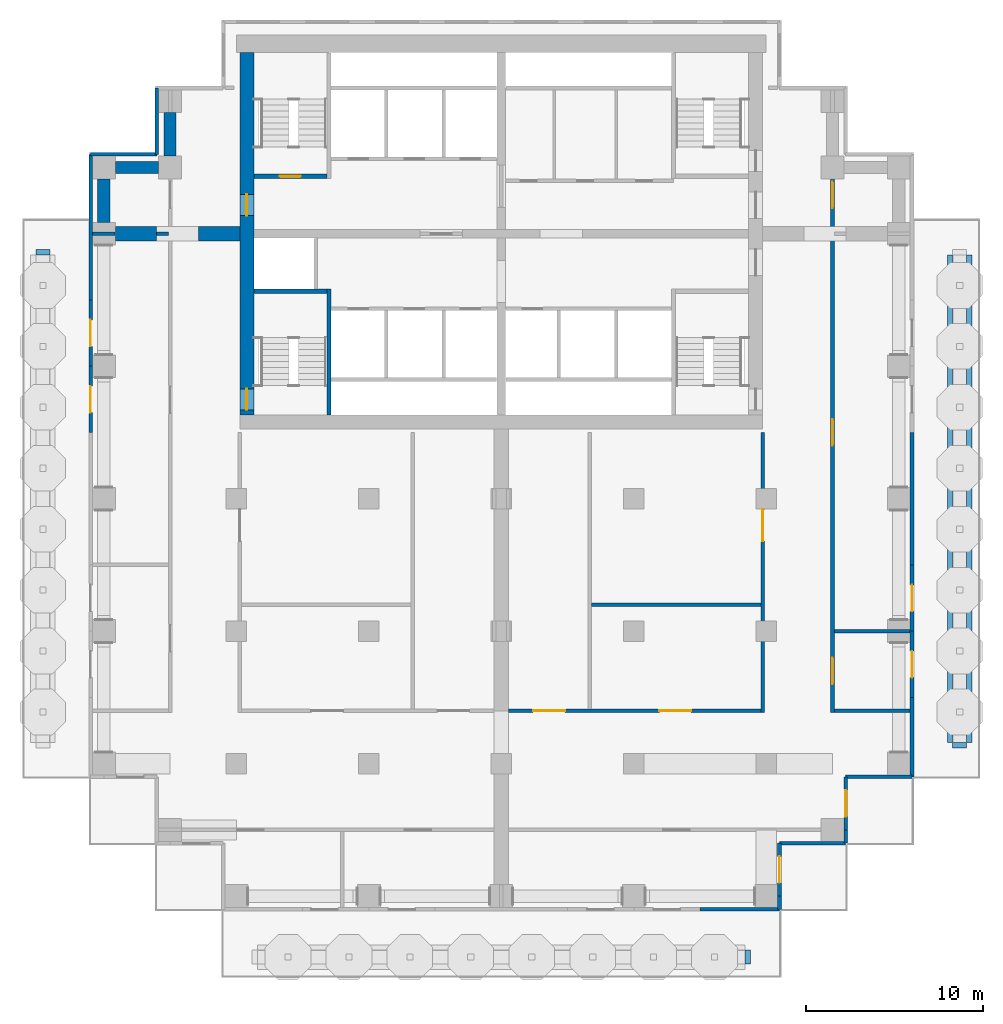
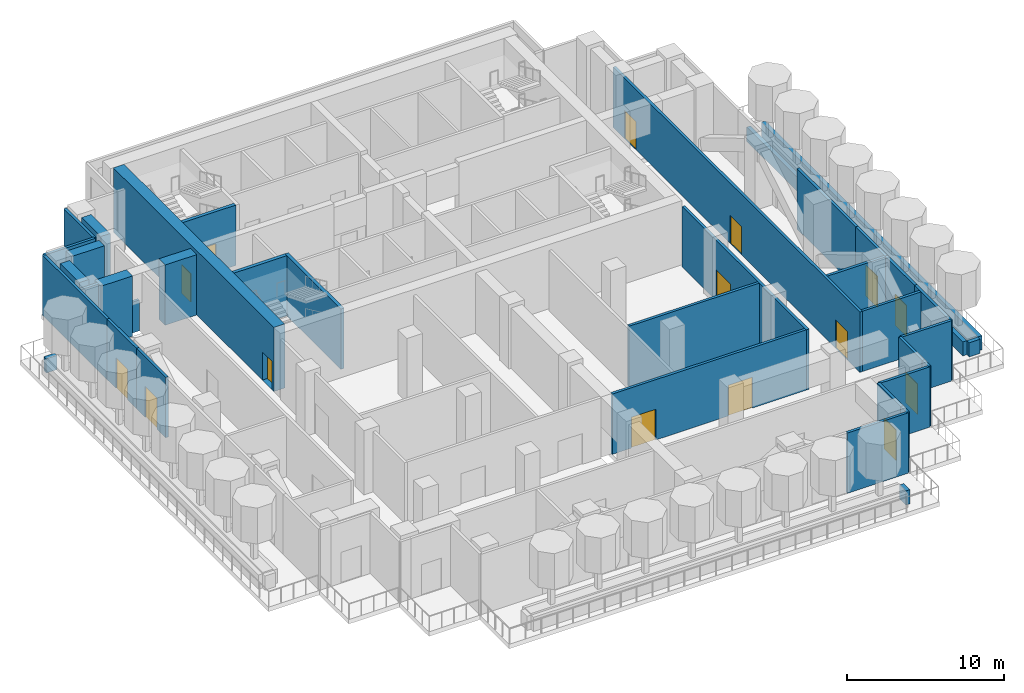
# One storey, part 3 of 9: 38 walls, 15 doors, 15 openings.
"""IFC4 building model written with IfcOpenShell, lengths in metres."""

from ifc_helpers import new_model, si_unit, direction, frame, frame_2d, origin, place, context, subcontext, project, spatial, rectangle, extrude, material, layer, layer_set, type_object, element, fill, save


model = new_model("IFC4")

# Units and contexts
model_context = context("Model", 3, precision=1e-05, world=origin(), true_north=direction((0.0, 1.0)))
body_context = subcontext(model_context, "Body", "Model", "MODEL_VIEW")
ifc_project = project(units=[si_unit("LENGTHUNIT", "METRE"), si_unit("AREAUNIT", "SQUARE_METRE"), si_unit("VOLUMEUNIT", "CUBIC_METRE"), si_unit("PLANEANGLEUNIT", "RADIAN"), si_unit("MASSUNIT", "GRAM", prefix="KILO")], contexts=[model_context])

# Site, building, storey
site_placement = place(None, origin())
site = spatial("IfcSite", under=ifc_project, at=site_placement, CompositionType="ELEMENT")
building_placement = place(site_placement, origin())
building = spatial("IfcBuilding", under=site, at=building_placement, Name="Pilkhan Gate Tower", CompositionType="ELEMENT")
storey_placement = place(building_placement, frame((0.0, 0.0, 102.199951171875)))
storey = spatial("IfcBuildingStorey", under=building, at=storey_placement, Name="L25", CompositionType="ELEMENT", Elevation=102.199951171875)

# Walls
ifc_material_1 = material(Name="Concrete C60/75", Category="concrete")
ifc_layer_1 = layer(ifc_material_1, 0.699951171875)
ifc_layer_set_1 = layer_set([ifc_layer_1], Name="Belt wall BW700 C60/75")
wall_type_1 = type_object("IfcWallType", Name="Belt wall BW700 C60/75", PredefinedType="SHEAR", material=ifc_layer_set_1)
for number, where, z_axis, x_axis, name in (
    (1, (52.5, 83.14990234375, 0.0), (0.0, 0.0, 1.0), (0.0, 1.0, 0.0), "Belt wall 9 L25"),
    (2, (53.14990234375, 86.25, 0.0), (0.0, 0.0, 1.0), (1.0, 0.0, 0.0), "Belt wall 10 L25"),
    (3, (56.25, 86.89990234375, 0.0), (0.0, 0.0, 1.0), (0.0, 1.0, 0.0), "Belt wall 11 L25"),
):
    element("IfcWall", number, at=place(storey_placement, frame(where, z_axis=z_axis, x_axis=x_axis)), inside=storey, type_object=wall_type_1, Name=name, PredefinedType="SHEAR", context=body_context, shape_type="SweptSolid", body=[
        extrude(rectangle(XDim=2.4501953125, YDim=0.699951171875, at=frame_2d((1.22509765625, 0.0))), origin(), (0.0, 0.0, 1.0), 4.699951171875),
    ])

# Wall, openings, doors
ifc_layer_2 = layer(ifc_material_1, 0.800048828125)
ifc_layer_set_2 = layer_set([ifc_layer_2], Name="Core wall CW800 C60/75")
wall_type_2 = type_object("IfcWallType", Name="Core wall CW800 C60/75", PredefinedType="SHEAR", material=ifc_layer_set_2)
wall_1_placement = place(storey_placement, frame((60.60009765625, 92.75, 0.0), z_axis=(0.0, 0.0, 1.0), x_axis=(0.0, -1.0, 0.0)))
wall_1 = element("IfcWall", 4, at=wall_1_placement, inside=storey, type_object=wall_type_2, Name="Core wall W L25", PredefinedType="SHEAR", context=body_context, shape_type="SweptSolid", body=[
    extrude(rectangle(XDim=20.5, YDim=0.800048828125, at=frame_2d((10.25, 0.0))), origin(), (0.0, 0.0, 1.0), 5.0),
])
opening_1_placement = place(wall_1_placement, frame((19.02490234375, 0.0, 0.0)))
opening_1 = element("IfcOpeningElement", 5, at=opening_1_placement, cuts=wall_1, Name="Opening L25-04", PredefinedType="OPENING", context=body_context, shape_type="SweptSolid", body=[
    extrude(rectangle(XDim=1.199951171875, YDim=2.199951171875, at=frame_2d((0.60009765625, 1.10009765625))), frame((0.0, 0.409912109375, 0.0), z_axis=(0.0, -1.0, 0.0), x_axis=(1.0, 0.0, 0.0)), (0.0, 0.0, 1.0), 0.820068359375),
])
opening_2_placement = place(wall_1_placement, frame((8.02490234375, 0.0, 0.0)))
opening_2 = element("IfcOpeningElement", 6, at=opening_2_placement, cuts=wall_1, Name="Opening L25-16", PredefinedType="OPENING", context=body_context, shape_type="SweptSolid", body=[
    extrude(rectangle(XDim=1.199951171875, YDim=2.199951171875, at=frame_2d((0.60009765625, 1.10009765625))), frame((0.0, 0.409912109375, 0.0), z_axis=(0.0, -1.0, 0.0), x_axis=(1.0, 0.0, 0.0)), (0.0, 0.0, 1.0), 0.820068359375),
])
ifc_material_2 = material(Name="Steel door, 120 minute fire resisting, self-closing", Category="steel")
door_type_1 = type_object("IfcDoorType", Name="Firefighting lobby door D10 1200x2200", OperationType="SINGLE_SWING_LEFT", PredefinedType="DOOR", material=ifc_material_2)
door_1_placement = place(opening_2_placement, origin())
door_1 = element("IfcDoor", 7, at=door_1_placement, inside=storey, type_object=door_type_1, Name="Core door", OperationType="SINGLE_SWING_LEFT", OverallHeight=2.199951171875, OverallWidth=1.199951171875, PredefinedType="DOOR", context=body_context, shape_type="SweptSolid", body=[
    extrude(rectangle(XDim=1.199951171875, YDim=2.199951171875, at=frame_2d((0.60009765625, 1.10009765625))), frame((0.0, 0.02490234375, 0.0), z_axis=(0.0, -1.0, 0.0), x_axis=(1.0, 0.0, 0.0)), (0.0, 0.0, 1.0), 0.050048828125),
])
fill(opening_2, door_1)
ifc_material_3 = material(Name="Steel door, 120 minute fire resisting, panic bar", Category="steel")
door_type_2 = type_object("IfcDoorType", Name="Stair door D11 1200x2200", OperationType="SINGLE_SWING_LEFT", PredefinedType="DOOR", material=ifc_material_3)
door_2_placement = place(opening_1_placement, origin())
door_2 = element("IfcDoor", 8, at=door_2_placement, inside=storey, type_object=door_type_2, Name="Stair ST2 door", OperationType="SINGLE_SWING_LEFT", OverallHeight=2.199951171875, OverallWidth=1.199951171875, PredefinedType="DOOR", context=body_context, shape_type="SweptSolid", body=[
    extrude(rectangle(XDim=1.199951171875, YDim=2.199951171875, at=frame_2d((0.60009765625, 1.10009765625))), frame((0.0, 0.02490234375, 0.0), z_axis=(0.0, -1.0, 0.0), x_axis=(1.0, 0.0, 0.0)), (0.0, 0.0, 1.0), 0.050048828125),
])
fill(opening_1, door_2)

ifc_material_4 = material(Name="Dense blockwork", Category="masonry")
ifc_layer_3 = layer(ifc_material_4, 0.199951171875)
ifc_layer_set_3 = layer_set([ifc_layer_3], Name="Lobby wall LW200")
wall_type_3 = type_object("IfcWallType", Name="Lobby wall LW200", PredefinedType="PARTITIONING", material=ifc_layer_set_3)
wall_2_placement = place(storey_placement, frame((75.409912109375, 55.5, 0.0), z_axis=(0.0, 0.0, 1.0), x_axis=(1.0, 0.0, 0.0)))
wall_2 = element("IfcWall", 9, at=wall_2_placement, inside=storey, type_object=wall_type_3, Name="Partition L25", PredefinedType="PARTITIONING", context=body_context, shape_type="SweptSolid", body=[
    extrude(rectangle(XDim=14.2900390625, YDim=0.199951171875, at=frame_2d((7.14501953125, 0.0))), origin(), (0.0, 0.0, 1.0), 4.699951171875),
])
opening_3_placement = place(wall_2_placement, frame((1.39990234375, 0.0, 0.0)))
opening_3 = element("IfcOpeningElement", 10, at=opening_3_placement, cuts=wall_2, Name="Opening L25-24", PredefinedType="OPENING", context=body_context, shape_type="SweptSolid", body=[
    extrude(rectangle(XDim=1.800048828125, YDim=2.39990234375, at=frame_2d((0.89990234375, 1.199951171875))), frame((0.0, 0.10986328125, 0.0), z_axis=(0.0, -1.0, 0.0), x_axis=(1.0, 0.0, 0.0)), (0.0, 0.0, 1.0), 0.219970703125),
])
opening_4_placement = place(wall_2_placement, frame((8.5400390625, 0.0, 0.0)))
opening_4 = element("IfcOpeningElement", 11, at=opening_4_placement, cuts=wall_2, Name="Opening L25-25", PredefinedType="OPENING", context=body_context, shape_type="SweptSolid", body=[
    extrude(rectangle(XDim=1.800048828125, YDim=2.39990234375, at=frame_2d((0.89990234375, 1.199951171875))), frame((0.0, 0.10986328125, 0.0), z_axis=(0.0, -1.0, 0.0), x_axis=(1.0, 0.0, 0.0)), (0.0, 0.0, 1.0), 0.219970703125),
])
ifc_material_5 = material(Name="Steel door, 120 minute fire resisting", Category="steel")
door_type_3 = type_object("IfcDoorType", Name="Plant room door D08 1800x2400", OperationType="DOUBLE_DOOR_SINGLE_SWING", PredefinedType="DOOR", material=ifc_material_5)
door_3_placement = place(opening_3_placement, origin())
door_3 = element("IfcDoor", 12, at=door_3_placement, inside=storey, type_object=door_type_3, Name="Plant room door", OperationType="DOUBLE_DOOR_SINGLE_SWING", OverallHeight=2.39990234375, OverallWidth=1.800048828125, PredefinedType="DOOR", context=body_context, shape_type="SweptSolid", body=[
    extrude(rectangle(XDim=1.800048828125, YDim=2.39990234375, at=frame_2d((0.89990234375, 1.199951171875))), frame((0.0, 0.02490234375, 0.0), z_axis=(0.0, -1.0, 0.0), x_axis=(1.0, 0.0, 0.0)), (0.0, 0.0, 1.0), 0.050048828125),
])
fill(opening_3, door_3)
door_4_placement = place(opening_4_placement, origin())
door_4 = element("IfcDoor", 13, at=door_4_placement, inside=storey, type_object=door_type_3, Name="Plant room door", OperationType="DOUBLE_DOOR_SINGLE_SWING", OverallHeight=2.39990234375, OverallWidth=1.800048828125, PredefinedType="DOOR", context=body_context, shape_type="SweptSolid", body=[
    extrude(rectangle(XDim=1.800048828125, YDim=2.39990234375, at=frame_2d((0.89990234375, 1.199951171875))), frame((0.0, 0.02490234375, 0.0), z_axis=(0.0, -1.0, 0.0), x_axis=(1.0, 0.0, 0.0)), (0.0, 0.0, 1.0), 0.050048828125),
])
fill(opening_4, door_4)

# Walls
for number, where, z_axis, x_axis, name in (
    (14, (93.85009765625, 55.5, 0.0), (0.0, 0.0, 1.0), (1.0, 0.0, 0.0), "Partition L25"),
    (15, (93.85009765625, 60.0, 0.0), (0.0, 0.0, 1.0), (1.0, 0.0, 0.0), "Partition L25"),
):
    element("IfcWall", number, at=place(storey_placement, frame(where, z_axis=z_axis, x_axis=x_axis)), inside=storey, type_object=wall_type_3, Name=name, PredefinedType="PARTITIONING", context=body_context, shape_type="SweptSolid", body=[
        extrude(rectangle(XDim=4.289794921875, YDim=0.199951171875, at=frame_2d((2.14501953125, 0.0))), origin(), (0.0, 0.0, 1.0), 4.699951171875),
    ])
wall_3_placement = place(storey_placement, frame((80.10009765625, 61.5, 0.0), z_axis=(0.0, 0.0, 1.0), x_axis=(1.0, 0.0, 0.0)))
element("IfcWall", 16, at=wall_3_placement, inside=storey, type_object=wall_type_3, Name="Partition L25", PredefinedType="PARTITIONING", context=body_context, shape_type="SweptSolid", body=[
    extrude(rectangle(XDim=9.599853515625, YDim=0.199951171875, at=frame_2d((4.7998046875, 0.0))), origin(), (0.0, 0.0, 1.0), 4.699951171875),
])
wall_4_placement = place(storey_placement, frame((51.860107421875, 82.5, 0.0), z_axis=(0.0, 0.0, 1.0), x_axis=(1.0, 0.0, 0.0)))
element("IfcWall", 17, at=wall_4_placement, inside=storey, type_object=wall_type_3, Name="Partition L25", PredefinedType="PARTITIONING", context=body_context, shape_type="SweptSolid", body=[
    extrude(rectangle(XDim=1.27978515625, YDim=0.199951171875, at=frame_2d((0.639892578125, 0.0))), origin(), (0.0, 0.0, 1.0), 4.699951171875),
])
wall_5_placement = place(storey_placement, frame((55.485107421875, 82.5, 0.0), z_axis=(0.0, 0.0, 1.0), x_axis=(1.0, 0.0, 0.0)))
element("IfcWall", 18, at=wall_5_placement, inside=storey, type_object=wall_type_3, Name="Partition L25", PredefinedType="PARTITIONING", context=body_context, shape_type="SweptSolid", body=[
    extrude(rectangle(XDim=0.664794921875, YDim=0.199951171875, at=frame_2d((0.33251953125, 0.0))), origin(), (0.0, 0.0, 1.0), 2.400146484375),
])

# Wall, opening, door
wall_6_placement = place(storey_placement, frame((89.800048828125, 55.39990234375, 0.0), z_axis=(0.0, 0.0, 1.0), x_axis=(0.0, 1.0, 0.0)))
wall_6 = element("IfcWall", 19, at=wall_6_placement, inside=storey, type_object=wall_type_3, Name="Partition L25", PredefinedType="PARTITIONING", context=body_context, shape_type="SweptSolid", body=[
    extrude(rectangle(XDim=15.85009765625, YDim=0.199951171875, at=frame_2d((7.925048828125, 0.0))), origin(), (0.0, 0.0, 1.0), 4.699951171875),
])
opening_5_placement = place(wall_6_placement, frame((9.699951171875, 0.0, 0.0)))
opening_5 = element("IfcOpeningElement", 20, at=opening_5_placement, cuts=wall_6, Name="Opening L25-26", PredefinedType="OPENING", context=body_context, shape_type="SweptSolid", body=[
    extrude(rectangle(XDim=1.800048828125, YDim=2.39990234375, at=frame_2d((0.89990234375, 1.199951171875))), frame((0.0, 0.10986328125, 0.0), z_axis=(0.0, -1.0, 0.0), x_axis=(1.0, 0.0, 0.0)), (0.0, 0.0, 1.0), 0.219970703125),
])
door_5_placement = place(opening_5_placement, origin())
door_5 = element("IfcDoor", 21, at=door_5_placement, inside=storey, type_object=door_type_3, Name="Plant room door", OperationType="DOUBLE_DOOR_SINGLE_SWING", OverallHeight=2.39990234375, OverallWidth=1.800048828125, PredefinedType="DOOR", context=body_context, shape_type="SweptSolid", body=[
    extrude(rectangle(XDim=1.800048828125, YDim=2.39990234375, at=frame_2d((0.89990234375, 1.199951171875))), frame((0.0, 0.02490234375, 0.0), z_axis=(0.0, -1.0, 0.0), x_axis=(1.0, 0.0, 0.0)), (0.0, 0.0, 1.0), 0.050048828125),
])
fill(opening_5, door_5)

# Wall, openings, doors
wall_7_placement = place(storey_placement, frame((93.75, 55.39990234375, 0.0), z_axis=(0.0, 0.0, 1.0), x_axis=(0.0, 1.0, 0.0)))
wall_7 = element("IfcWall", 22, at=wall_7_placement, inside=storey, type_object=wall_type_3, Name="Partition L25", PredefinedType="PARTITIONING", context=body_context, shape_type="SweptSolid", body=[
    extrude(rectangle(XDim=31.489990234375, YDim=0.199951171875, at=frame_2d((15.7451171875, 0.0))), origin(), (0.0, 0.0, 1.0), 4.699951171875),
])
opening_6_placement = place(wall_7_placement, frame((1.60009765625, 0.0, 0.0)))
opening_6 = element("IfcOpeningElement", 23, at=opening_6_placement, cuts=wall_7, Name="Opening L25-12", PredefinedType="OPENING", context=body_context, shape_type="SweptSolid", body=[
    extrude(rectangle(XDim=1.5, YDim=2.199951171875, at=frame_2d((0.75, 1.10009765625))), frame((0.0, 0.10986328125, 0.0), z_axis=(0.0, -1.0, 0.0), x_axis=(1.0, 0.0, 0.0)), (0.0, 0.0, 1.0), 0.219970703125),
])
opening_7_placement = place(wall_7_placement, frame((15.10009765625, 0.0, 0.0)))
opening_7 = element("IfcOpeningElement", 24, at=opening_7_placement, cuts=wall_7, Name="Opening L25-13", PredefinedType="OPENING", context=body_context, shape_type="SweptSolid", body=[
    extrude(rectangle(XDim=1.5, YDim=2.199951171875, at=frame_2d((0.75, 1.10009765625))), frame((0.0, 0.10986328125, 0.0), z_axis=(0.0, -1.0, 0.0), x_axis=(1.0, 0.0, 0.0)), (0.0, 0.0, 1.0), 0.219970703125),
])
opening_8_placement = place(wall_7_placement, frame((28.550048828125, 0.0, 0.0)))
opening_8 = element("IfcOpeningElement", 25, at=opening_8_placement, cuts=wall_7, Name="Opening L25-14", PredefinedType="OPENING", context=body_context, shape_type="SweptSolid", body=[
    extrude(rectangle(XDim=1.5, YDim=2.199951171875, at=frame_2d((0.75, 1.10009765625))), frame((0.0, 0.10986328125, 0.0), z_axis=(0.0, -1.0, 0.0), x_axis=(1.0, 0.0, 0.0)), (0.0, 0.0, 1.0), 0.219970703125),
])
ifc_material_6 = material(Name="Steel framed glazed door, 60 minute fire resisting", Category="steel")
door_type_4 = type_object("IfcDoorType", Name="Lobby door D09 1500x2200", OperationType="DOUBLE_DOOR_SINGLE_SWING", PredefinedType="DOOR", material=ifc_material_6)
door_6_placement = place(opening_6_placement, origin())
door_6 = element("IfcDoor", 26, at=door_6_placement, inside=storey, type_object=door_type_4, Name="Refuge door", OperationType="DOUBLE_DOOR_SINGLE_SWING", OverallHeight=2.199951171875, OverallWidth=1.5, PredefinedType="DOOR", context=body_context, shape_type="SweptSolid", body=[
    extrude(rectangle(XDim=1.5, YDim=2.199951171875, at=frame_2d((0.75, 1.10009765625))), frame((0.0, 0.02490234375, 0.0), z_axis=(0.0, -1.0, 0.0), x_axis=(1.0, 0.0, 0.0)), (0.0, 0.0, 1.0), 0.050048828125),
])
fill(opening_6, door_6)
door_7_placement = place(opening_7_placement, origin())
door_7 = element("IfcDoor", 27, at=door_7_placement, inside=storey, type_object=door_type_4, Name="Refuge door", OperationType="DOUBLE_DOOR_SINGLE_SWING", OverallHeight=2.199951171875, OverallWidth=1.5, PredefinedType="DOOR", context=body_context, shape_type="SweptSolid", body=[
    extrude(rectangle(XDim=1.5, YDim=2.199951171875, at=frame_2d((0.75, 1.10009765625))), frame((0.0, 0.02490234375, 0.0), z_axis=(0.0, -1.0, 0.0), x_axis=(1.0, 0.0, 0.0)), (0.0, 0.0, 1.0), 0.050048828125),
])
fill(opening_7, door_7)
door_8_placement = place(opening_8_placement, origin())
door_8 = element("IfcDoor", 28, at=door_8_placement, inside=storey, type_object=door_type_4, Name="Refuge door", OperationType="DOUBLE_DOOR_SINGLE_SWING", OverallHeight=2.199951171875, OverallWidth=1.5, PredefinedType="DOOR", context=body_context, shape_type="SweptSolid", body=[
    extrude(rectangle(XDim=1.5, YDim=2.199951171875, at=frame_2d((0.75, 1.10009765625))), frame((0.0, 0.02490234375, 0.0), z_axis=(0.0, -1.0, 0.0), x_axis=(1.0, 0.0, 0.0)), (0.0, 0.0, 1.0), 0.050048828125),
])
fill(opening_8, door_8)

# Walls
ifc_layer_4 = layer(ifc_material_1, 0.800048828125)
ifc_layer_set_4 = layer_set([ifc_layer_4], Name="Outrigger wall OW800 C60/75")
wall_type_4 = type_object("IfcWallType", Name="Outrigger wall OW800 C60/75", PredefinedType="SHEAR", material=ifc_layer_set_4)
wall_8_placement = place(storey_placement, frame((53.14990234375, 82.5, 0.0), z_axis=(0.0, 0.0, 1.0), x_axis=(1.0, 0.0, 0.0)))
element("IfcWall", 29, at=wall_8_placement, inside=storey, type_object=wall_type_4, Name="Outrigger wall 1 L25", PredefinedType="SHEAR", context=body_context, shape_type="SweptSolid", body=[
    extrude(rectangle(XDim=2.3251953125, YDim=0.800048828125, at=frame_2d((1.16259765625, 0.0))), origin(), (0.0, 0.0, 1.0), 4.699951171875),
])
wall_9_placement = place(storey_placement, frame((57.875, 82.5, 0.0), z_axis=(0.0, 0.0, 1.0), x_axis=(1.0, 0.0, 0.0)))
element("IfcWall", 30, at=wall_9_placement, inside=storey, type_object=wall_type_4, Name="Outrigger wall 2 L25", PredefinedType="SHEAR", context=body_context, shape_type="SweptSolid", body=[
    extrude(rectangle(XDim=2.324951171875, YDim=0.800048828125, at=frame_2d((1.16259765625, 0.0))), origin(), (0.0, 0.0, 1.0), 4.699951171875),
])
ifc_material_7 = material(Name="Pale anodised aluminium cladding", Category="aluminium")
ifc_layer_5 = layer(ifc_material_7, 0.199951171875)
ifc_layer_set_5 = layer_set([ifc_layer_5], Name="Plant screen wall PS200")
wall_type_5 = type_object("IfcWallType", Name="Plant screen wall PS200", PredefinedType="SOLIDWALL", material=ifc_layer_set_5)
wall_10_placement = place(storey_placement, frame((98.25, 51.75, 0.0), z_axis=(0.0, 0.0, 1.0), x_axis=(0.0, 1.0, 0.0)))
element("IfcWall", 31, at=wall_10_placement, inside=storey, type_object=wall_type_5, Name="Plant screen wall L25 E", PredefinedType="SOLIDWALL", context=body_context, shape_type="SweptSolid", body=[
    extrude(rectangle(XDim=4.5, YDim=0.199951171875, at=frame_2d((2.25, 0.0))), origin(), (0.0, 0.0, 1.0), 4.699951171875),
])

# Wall, opening, door
wall_11_placement = place(storey_placement, frame((98.25, 60.0, 0.0), z_axis=(0.0, 0.0, 1.0), x_axis=(0.0, -1.0, 0.0)))
wall_11 = element("IfcWall", 32, at=wall_11_placement, inside=storey, type_object=wall_type_5, Name="Infill wall L25 E", PredefinedType="SOLIDWALL", context=body_context, shape_type="SweptSolid", body=[
    extrude(rectangle(XDim=3.75, YDim=0.199951171875, at=frame_2d((1.875, 0.0))), origin(), (0.0, 0.0, 1.0), 4.699951171875),
])
opening_9_placement = place(wall_11_placement, frame((1.125, 0.0, 0.0)))
opening_9 = element("IfcOpeningElement", 33, at=opening_9_placement, cuts=wall_11, Name="Opening D5", PredefinedType="OPENING", context=body_context, shape_type="SweptSolid", body=[
    extrude(rectangle(XDim=1.5, YDim=2.39990234375, at=frame_2d((0.75, 1.199951171875))), frame((0.0, 0.10986328125, 0.0), z_axis=(0.0, -1.0, 0.0), x_axis=(1.0, 0.0, 0.0)), (0.0, 0.0, 1.0), 0.219970703125),
])
ifc_material_8 = material(Name="Pale anodised aluminium, clear glazing", Category="aluminium")
door_type_5 = type_object("IfcDoorType", Name="Terrace door D5 1500x2400", OperationType="DOUBLE_DOOR_SINGLE_SWING", PredefinedType="DOOR", material=ifc_material_8)
door_9_placement = place(opening_9_placement, origin())
door_9 = element("IfcDoor", 34, at=door_9_placement, inside=storey, type_object=door_type_5, Name="Terrace door L25", OperationType="DOUBLE_DOOR_SINGLE_SWING", OverallHeight=2.39990234375, OverallWidth=1.5, PredefinedType="DOOR", context=body_context, shape_type="SweptSolid", body=[
    extrude(rectangle(XDim=1.5, YDim=2.39990234375, at=frame_2d((0.75, 1.199951171875))), frame((0.0, 0.02490234375, 0.0), z_axis=(0.0, -1.0, 0.0), x_axis=(1.0, 0.0, 0.0)), (0.0, 0.0, 1.0), 0.050048828125),
])
fill(opening_9, door_9)

wall_12_placement = place(storey_placement, frame((98.25, 63.75, 0.0), z_axis=(0.0, 0.0, 1.0), x_axis=(0.0, -1.0, 0.0)))
wall_12 = element("IfcWall", 35, at=wall_12_placement, inside=storey, type_object=wall_type_5, Name="Infill wall L25 E", PredefinedType="SOLIDWALL", context=body_context, shape_type="SweptSolid", body=[
    extrude(rectangle(XDim=3.75, YDim=0.199951171875, at=frame_2d((1.875, 0.0))), origin(), (0.0, 0.0, 1.0), 4.699951171875),
])
opening_10_placement = place(wall_12_placement, frame((1.125, 0.0, 0.0)))
opening_10 = element("IfcOpeningElement", 36, at=opening_10_placement, cuts=wall_12, Name="Opening D5", PredefinedType="OPENING", context=body_context, shape_type="SweptSolid", body=[
    extrude(rectangle(XDim=1.5, YDim=2.39990234375, at=frame_2d((0.75, 1.199951171875))), frame((0.0, 0.10986328125, 0.0), z_axis=(0.0, -1.0, 0.0), x_axis=(1.0, 0.0, 0.0)), (0.0, 0.0, 1.0), 0.219970703125),
])
door_10_placement = place(opening_10_placement, origin())
door_10 = element("IfcDoor", 37, at=door_10_placement, inside=storey, type_object=door_type_5, Name="Terrace door L25", OperationType="DOUBLE_DOOR_SINGLE_SWING", OverallHeight=2.39990234375, OverallWidth=1.5, PredefinedType="DOOR", context=body_context, shape_type="SweptSolid", body=[
    extrude(rectangle(XDim=1.5, YDim=2.39990234375, at=frame_2d((0.75, 1.199951171875))), frame((0.0, 0.02490234375, 0.0), z_axis=(0.0, -1.0, 0.0), x_axis=(1.0, 0.0, 0.0)), (0.0, 0.0, 1.0), 0.050048828125),
])
fill(opening_10, door_10)

# Walls
wall_13_placement = place(storey_placement, frame((98.25, 63.75, 0.0), z_axis=(0.0, 0.0, 1.0), x_axis=(0.0, 1.0, 0.0)))
element("IfcWall", 38, at=wall_13_placement, inside=storey, type_object=wall_type_5, Name="Plant screen wall L25 E", PredefinedType="SOLIDWALL", context=body_context, shape_type="SweptSolid", body=[
    extrude(rectangle(XDim=7.5, YDim=0.199951171875, at=frame_2d((3.75, 0.0))), origin(), (0.0, 0.0, 1.0), 4.699951171875),
])
for number, where, z_axis, x_axis, name in (
    (39, (55.5, 87.0, 0.0), (0.0, 0.0, 1.0), (0.0, 1.0, 0.0), "Plant screen wall L25 W"),
    (40, (51.75, 87.0, 0.0), (0.0, 0.0, 1.0), (1.0, 0.0, 0.0), "Plant screen wall L25 N"),
):
    element("IfcWall", number, at=place(storey_placement, frame(where, z_axis=z_axis, x_axis=x_axis)), inside=storey, type_object=wall_type_5, Name=name, PredefinedType="SOLIDWALL", context=body_context, shape_type="SweptSolid", body=[
        extrude(rectangle(XDim=3.75, YDim=0.199951171875, at=frame_2d((1.875, 0.0))), origin(), (0.0, 0.0, 1.0), 4.699951171875),
    ])

# Wall, opening, door
wall_14_placement = place(storey_placement, frame((51.75, 71.25, 0.0), z_axis=(0.0, 0.0, 1.0), x_axis=(0.0, 1.0, 0.0)))
wall_14 = element("IfcWall", 41, at=wall_14_placement, inside=storey, type_object=wall_type_5, Name="Infill wall L25 W", PredefinedType="SOLIDWALL", context=body_context, shape_type="SweptSolid", body=[
    extrude(rectangle(XDim=3.75, YDim=0.199951171875, at=frame_2d((1.875, 0.0))), origin(), (0.0, 0.0, 1.0), 4.699951171875),
])
opening_11_placement = place(wall_14_placement, frame((1.125, 0.0, 0.0)))
opening_11 = element("IfcOpeningElement", 42, at=opening_11_placement, cuts=wall_14, Name="Opening D5", PredefinedType="OPENING", context=body_context, shape_type="SweptSolid", body=[
    extrude(rectangle(XDim=1.5, YDim=2.39990234375, at=frame_2d((0.75, 1.199951171875))), frame((0.0, 0.10986328125, 0.0), z_axis=(0.0, -1.0, 0.0), x_axis=(1.0, 0.0, 0.0)), (0.0, 0.0, 1.0), 0.219970703125),
])
door_11_placement = place(opening_11_placement, origin())
door_11 = element("IfcDoor", 43, at=door_11_placement, inside=storey, type_object=door_type_5, Name="Terrace door L25", OperationType="DOUBLE_DOOR_SINGLE_SWING", OverallHeight=2.39990234375, OverallWidth=1.5, PredefinedType="DOOR", context=body_context, shape_type="SweptSolid", body=[
    extrude(rectangle(XDim=1.5, YDim=2.39990234375, at=frame_2d((0.75, 1.199951171875))), frame((0.0, 0.02490234375, 0.0), z_axis=(0.0, -1.0, 0.0), x_axis=(1.0, 0.0, 0.0)), (0.0, 0.0, 1.0), 0.050048828125),
])
fill(opening_11, door_11)

wall_15_placement = place(storey_placement, frame((51.75, 75.0, 0.0), z_axis=(0.0, 0.0, 1.0), x_axis=(0.0, 1.0, 0.0)))
wall_15 = element("IfcWall", 44, at=wall_15_placement, inside=storey, type_object=wall_type_5, Name="Infill wall L25 W", PredefinedType="SOLIDWALL", context=body_context, shape_type="SweptSolid", body=[
    extrude(rectangle(XDim=3.75, YDim=0.199951171875, at=frame_2d((1.875, 0.0))), origin(), (0.0, 0.0, 1.0), 4.699951171875),
])
opening_12_placement = place(wall_15_placement, frame((1.125, 0.0, 0.0)))
opening_12 = element("IfcOpeningElement", 45, at=opening_12_placement, cuts=wall_15, Name="Opening D5", PredefinedType="OPENING", context=body_context, shape_type="SweptSolid", body=[
    extrude(rectangle(XDim=1.5, YDim=2.39990234375, at=frame_2d((0.75, 1.199951171875))), frame((0.0, 0.10986328125, 0.0), z_axis=(0.0, -1.0, 0.0), x_axis=(1.0, 0.0, 0.0)), (0.0, 0.0, 1.0), 0.219970703125),
])
door_12_placement = place(opening_12_placement, origin())
door_12 = element("IfcDoor", 46, at=door_12_placement, inside=storey, type_object=door_type_5, Name="Terrace door L25", OperationType="DOUBLE_DOOR_SINGLE_SWING", OverallHeight=2.39990234375, OverallWidth=1.5, PredefinedType="DOOR", context=body_context, shape_type="SweptSolid", body=[
    extrude(rectangle(XDim=1.5, YDim=2.39990234375, at=frame_2d((0.75, 1.199951171875))), frame((0.0, 0.02490234375, 0.0), z_axis=(0.0, -1.0, 0.0), x_axis=(1.0, 0.0, 0.0)), (0.0, 0.0, 1.0), 0.050048828125),
])
fill(opening_12, door_12)

# Walls
wall_16_placement = place(storey_placement, frame((51.75, 78.75, 0.0), z_axis=(0.0, 0.0, 1.0), x_axis=(0.0, 1.0, 0.0)))
element("IfcWall", 47, at=wall_16_placement, inside=storey, type_object=wall_type_5, Name="Plant screen wall L25 W", PredefinedType="SOLIDWALL", context=body_context, shape_type="SweptSolid", body=[
    extrude(rectangle(XDim=8.25, YDim=0.199951171875, at=frame_2d((4.125, 0.0))), origin(), (0.0, 0.0, 1.0), 4.699951171875),
])
wall_17_placement = place(storey_placement, frame((86.25, 44.25, 0.0), z_axis=(0.0, 0.0, 1.0), x_axis=(1.0, 0.0, 0.0)))
element("IfcWall", 48, at=wall_17_placement, inside=storey, type_object=wall_type_5, Name="Plant screen wall L25 S", PredefinedType="SOLIDWALL", context=body_context, shape_type="SweptSolid", body=[
    extrude(rectangle(XDim=4.5, YDim=0.199951171875, at=frame_2d((2.25, 0.0))), origin(), (0.0, 0.0, 1.0), 4.699951171875),
])
wall_18_placement = place(storey_placement, frame((90.75, 44.25, 0.0), z_axis=(0.0, 0.0, 1.0), x_axis=(0.0, 1.0, 0.0)))
element("IfcWall", 49, at=wall_18_placement, inside=storey, type_object=wall_type_5, Name="Plant screen wall L25 E", PredefinedType="SOLIDWALL", context=body_context, shape_type="SweptSolid", body=[
    extrude(rectangle(XDim=0.75, YDim=0.199951171875, at=frame_2d((0.375, 0.0))), origin(), (0.0, 0.0, 1.0), 4.699951171875),
])

# Wall, opening, door
wall_19_placement = place(storey_placement, frame((90.75, 48.0, 0.0), z_axis=(0.0, 0.0, 1.0), x_axis=(0.0, -1.0, 0.0)))
wall_19 = element("IfcWall", 50, at=wall_19_placement, inside=storey, type_object=wall_type_5, Name="Infill wall L25 E", PredefinedType="SOLIDWALL", context=body_context, shape_type="SweptSolid", body=[
    extrude(rectangle(XDim=3.0, YDim=0.199951171875, at=frame_2d((1.5, 0.0))), origin(), (0.0, 0.0, 1.0), 4.699951171875),
])
opening_13_placement = place(wall_19_placement, frame((0.75, 0.0, 0.0)))
opening_13 = element("IfcOpeningElement", 51, at=opening_13_placement, cuts=wall_19, Name="Opening D5", PredefinedType="OPENING", context=body_context, shape_type="SweptSolid", body=[
    extrude(rectangle(XDim=1.5, YDim=2.39990234375, at=frame_2d((0.75, 1.199951171875))), frame((0.0, 0.10986328125, 0.0), z_axis=(0.0, -1.0, 0.0), x_axis=(1.0, 0.0, 0.0)), (0.0, 0.0, 1.0), 0.219970703125),
])
door_13_placement = place(opening_13_placement, origin())
door_13 = element("IfcDoor", 52, at=door_13_placement, inside=storey, type_object=door_type_5, Name="Terrace door L25", OperationType="DOUBLE_DOOR_SINGLE_SWING", OverallHeight=2.39990234375, OverallWidth=1.5, PredefinedType="DOOR", context=body_context, shape_type="SweptSolid", body=[
    extrude(rectangle(XDim=1.5, YDim=2.39990234375, at=frame_2d((0.75, 1.199951171875))), frame((0.0, 0.02490234375, 0.0), z_axis=(0.0, -1.0, 0.0), x_axis=(1.0, 0.0, 0.0)), (0.0, 0.0, 1.0), 0.050048828125),
])
fill(opening_13, door_13)

# Walls
wall_20_placement = place(storey_placement, frame((90.75, 48.0, 0.0), z_axis=(0.0, 0.0, 1.0), x_axis=(1.0, 0.0, 0.0)))
element("IfcWall", 53, at=wall_20_placement, inside=storey, type_object=wall_type_5, Name="Plant screen wall L25 S", PredefinedType="SOLIDWALL", context=body_context, shape_type="SweptSolid", body=[
    extrude(rectangle(XDim=3.75, YDim=0.199951171875, at=frame_2d((1.875, 0.0))), origin(), (0.0, 0.0, 1.0), 4.699951171875),
])
wall_21_placement = place(storey_placement, frame((94.5, 48.0, 0.0), z_axis=(0.0, 0.0, 1.0), x_axis=(0.0, 1.0, 0.0)))
element("IfcWall", 54, at=wall_21_placement, inside=storey, type_object=wall_type_5, Name="Plant screen wall L25 E", PredefinedType="SOLIDWALL", context=body_context, shape_type="SweptSolid", body=[
    extrude(rectangle(XDim=0.75, YDim=0.199951171875, at=frame_2d((0.375, 0.0))), origin(), (0.0, 0.0, 1.0), 4.699951171875),
])

# Wall, opening, door
wall_22_placement = place(storey_placement, frame((94.5, 51.75, 0.0), z_axis=(0.0, 0.0, 1.0), x_axis=(0.0, -1.0, 0.0)))
wall_22 = element("IfcWall", 55, at=wall_22_placement, inside=storey, type_object=wall_type_5, Name="Infill wall L25 E", PredefinedType="SOLIDWALL", context=body_context, shape_type="SweptSolid", body=[
    extrude(rectangle(XDim=3.0, YDim=0.199951171875, at=frame_2d((1.5, 0.0))), origin(), (0.0, 0.0, 1.0), 4.699951171875),
])
opening_14_placement = place(wall_22_placement, frame((0.75, 0.0, 0.0)))
opening_14 = element("IfcOpeningElement", 56, at=opening_14_placement, cuts=wall_22, Name="Opening D5", PredefinedType="OPENING", context=body_context, shape_type="SweptSolid", body=[
    extrude(rectangle(XDim=1.5, YDim=2.39990234375, at=frame_2d((0.75, 1.199951171875))), frame((0.0, 0.10986328125, 0.0), z_axis=(0.0, -1.0, 0.0), x_axis=(1.0, 0.0, 0.0)), (0.0, 0.0, 1.0), 0.219970703125),
])
door_14_placement = place(opening_14_placement, origin())
door_14 = element("IfcDoor", 57, at=door_14_placement, inside=storey, type_object=door_type_5, Name="Terrace door L25", OperationType="DOUBLE_DOOR_SINGLE_SWING", OverallHeight=2.39990234375, OverallWidth=1.5, PredefinedType="DOOR", context=body_context, shape_type="SweptSolid", body=[
    extrude(rectangle(XDim=1.5, YDim=2.39990234375, at=frame_2d((0.75, 1.199951171875))), frame((0.0, 0.02490234375, 0.0), z_axis=(0.0, -1.0, 0.0), x_axis=(1.0, 0.0, 0.0)), (0.0, 0.0, 1.0), 0.050048828125),
])
fill(opening_14, door_14)

# Walls
wall_23_placement = place(storey_placement, frame((94.5, 51.75, 0.0), z_axis=(0.0, 0.0, 1.0), x_axis=(1.0, 0.0, 0.0)))
element("IfcWall", 58, at=wall_23_placement, inside=storey, type_object=wall_type_5, Name="Plant screen wall L25 S", PredefinedType="SOLIDWALL", context=body_context, shape_type="SweptSolid", body=[
    extrude(rectangle(XDim=3.75, YDim=0.199951171875, at=frame_2d((1.875, 0.0))), origin(), (0.0, 0.0, 1.0), 4.699951171875),
])
ifc_material_9 = material(Name="Reinforced blockwork, 120 minute fire resisting", Category="masonry")
ifc_layer_6 = layer(ifc_material_9, 0.25)
ifc_layer_set_6 = layer_set([ifc_layer_6], Name="Stair enclosure wall SE250")
wall_type_6 = type_object("IfcWallType", Name="Stair enclosure wall SE250", PredefinedType="PARTITIONING", material=ifc_layer_set_6)
wall_24_placement = place(storey_placement, frame((61.010009765625, 79.25, 0.0), z_axis=(0.0, 0.0, 1.0), x_axis=(1.0, 0.0, 0.0)))
element("IfcWall", 59, at=wall_24_placement, inside=storey, type_object=wall_type_6, Name="Partition L25", PredefinedType="PARTITIONING", context=body_context, shape_type="SweptSolid", body=[
    extrude(rectangle(XDim=4.114990234375, YDim=0.25, at=frame_2d((2.0576171875, 0.0))), origin(), (0.0, 0.0, 1.0), 4.699951171875),
])

# Wall, opening, door
wall_25_placement = place(storey_placement, frame((61.010009765625, 85.75, 0.0), z_axis=(0.0, 0.0, 1.0), x_axis=(1.0, 0.0, 0.0)))
wall_25 = element("IfcWall", 60, at=wall_25_placement, inside=storey, type_object=wall_type_6, Name="Partition L25", PredefinedType="PARTITIONING", context=body_context, shape_type="SweptSolid", body=[
    extrude(rectangle(XDim=4.114990234375, YDim=0.25, at=frame_2d((2.0576171875, 0.0))), origin(), (0.0, 0.0, 1.0), 4.699951171875),
])
opening_15_placement = place(wall_25_placement, frame((1.449951171875, 0.0, 0.0)))
opening_15 = element("IfcOpeningElement", 61, at=opening_15_placement, cuts=wall_25, Name="Opening L25-02", PredefinedType="OPENING", context=body_context, shape_type="SweptSolid", body=[
    extrude(rectangle(XDim=1.199951171875, YDim=2.199951171875, at=frame_2d((0.60009765625, 1.10009765625))), frame((0.0, 0.135009765625, 0.0), z_axis=(0.0, -1.0, 0.0), x_axis=(1.0, 0.0, 0.0)), (0.0, 0.0, 1.0), 0.27001953125),
])
door_15_placement = place(opening_15_placement, origin())
door_15 = element("IfcDoor", 62, at=door_15_placement, inside=storey, type_object=door_type_2, Name="Stair ST3 lobby door", OperationType="SINGLE_SWING_LEFT", OverallHeight=2.199951171875, OverallWidth=1.199951171875, PredefinedType="DOOR", context=body_context, shape_type="SweptSolid", body=[
    extrude(rectangle(XDim=1.199951171875, YDim=2.199951171875, at=frame_2d((0.60009765625, 1.10009765625))), frame((0.0, 0.02490234375, 0.0), z_axis=(0.0, -1.0, 0.0), x_axis=(1.0, 0.0, 0.0)), (0.0, 0.0, 1.0), 0.050048828125),
])
fill(opening_15, door_15)

# Walls
wall_26_placement = place(storey_placement, frame((65.25, 72.25, 0.0), z_axis=(0.0, 0.0, 1.0), x_axis=(0.0, 1.0, 0.0)))
element("IfcWall", 63, at=wall_26_placement, inside=storey, type_object=wall_type_6, Name="Partition L25", PredefinedType="PARTITIONING", context=body_context, shape_type="SweptSolid", body=[
    extrude(rectangle(XDim=7.125, YDim=0.25, at=frame_2d((3.5625, 0.0))), origin(), (0.0, 0.0, 1.0), 4.699951171875),
])
ifc_material_10 = material(Name="Concrete C40/50", Category="concrete")
ifc_layer_7 = layer(ifc_material_10, 0.300048828125)
ifc_layer_set_7 = layer_set([ifc_layer_7], Name="Terrace planter TP800")
wall_type_7 = type_object("IfcWallType", Name="Terrace planter TP800", PredefinedType="USERDEFINED", material=ifc_layer_set_7)
for number, where, z_axis, x_axis, name in (
    (64, (101.5, 81.300048828125, 0.0), (0.0, 0.0, 1.0), (0.0, -1.0, 0.0), "Terrace planter L25"),
    (65, (100.39990234375, 81.300048828125, 0.0), (0.0, 0.0, 1.0), (0.0, -1.0, 0.0), "Terrace planter L25"),
):
    element("IfcWall", number, at=place(storey_placement, frame(where, z_axis=z_axis, x_axis=x_axis)), inside=storey, type_object=wall_type_7, Name=name, ObjectType="TERRACE PLANTER", PredefinedType="USERDEFINED", context=body_context, shape_type="SweptSolid", body=[
        extrude(rectangle(XDim=27.60009765625, YDim=0.300048828125, at=frame_2d((13.800048828125, 0.0))), origin(), (0.0, 0.0, 1.0), 1.10009765625),
    ])
for number, where, z_axis, x_axis, name in (
    (66, (100.550048828125, 53.550048828125, 0.0), (0.0, 0.0, 1.0), (1.0, 0.0, 0.0), "Terrace planter L25"),
    (67, (88.949951171875, 41.949951171875, 0.0), (0.0, 0.0, 1.0), (0.0, -1.0, 0.0), "Terrace planter L25"),
    (68, (49.449951171875, 81.449951171875, 0.0), (0.0, 0.0, 1.0), (-1.0, 0.0, 0.0), "Terrace planter L25"),
):
    element("IfcWall", number, at=place(storey_placement, frame(where, z_axis=z_axis, x_axis=x_axis)), inside=storey, type_object=wall_type_7, Name=name, ObjectType="TERRACE PLANTER", PredefinedType="USERDEFINED", context=body_context, shape_type="SweptSolid", body=[
        extrude(rectangle(XDim=0.800048828125, YDim=0.300048828125, at=frame_2d((0.39990234375, 0.0))), origin(), (0.0, 0.0, 1.0), 1.10009765625),
    ])

save(model, "model.ifc")
